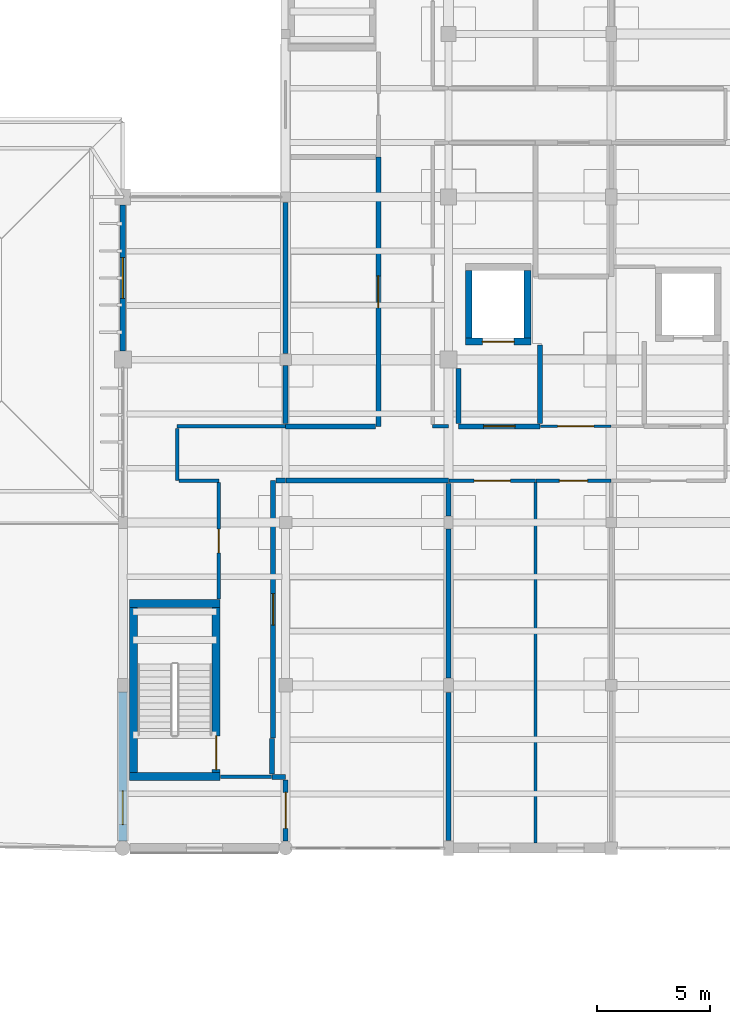
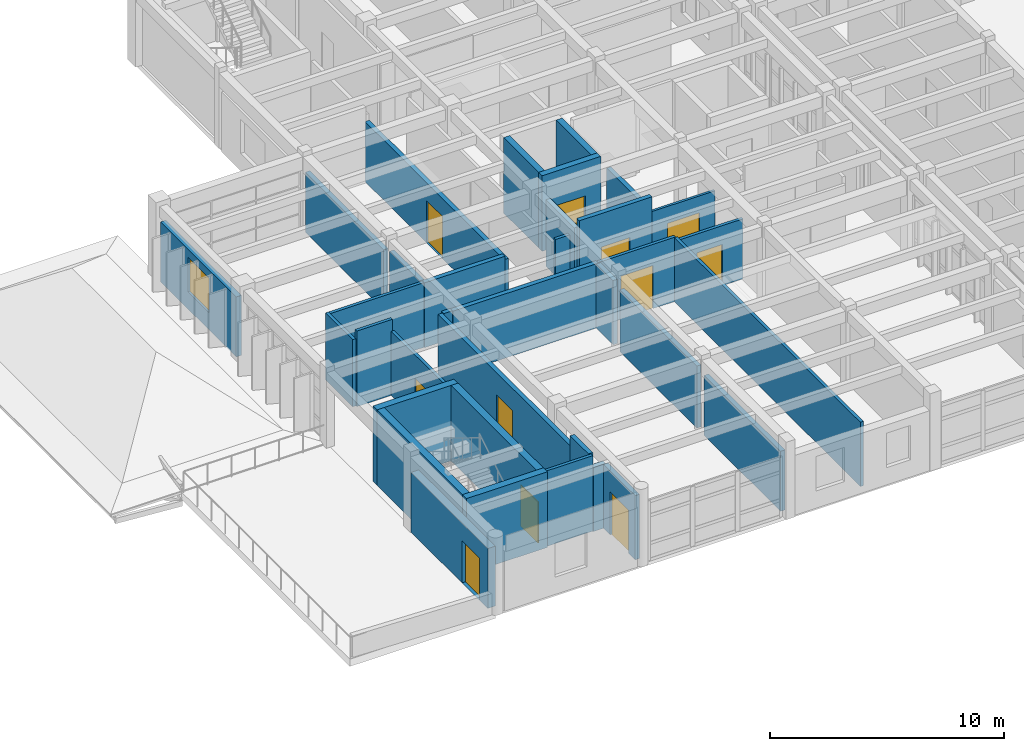
# One storey, part 72 of 100: 35 walls, 11 doors, 1 window, 12 openings.
"""IFC4 building model written with IfcOpenShell, lengths in metres."""

from ifc_helpers import new_model, si_unit, direction, frame, frame_2d, origin, place, context, subcontext, project, spatial, rectangle, extrude, material, layer, layer_set, type_object, element, fill, save


model = new_model("IFC4")

# Units and contexts
model_context = context("Model", 3, precision=1e-05, world=origin(), true_north=direction((0.0, 1.0)))
body_context = subcontext(model_context, "Body", "Model", "MODEL_VIEW")
ifc_project = project(units=[si_unit("LENGTHUNIT", "METRE"), si_unit("AREAUNIT", "SQUARE_METRE"), si_unit("VOLUMEUNIT", "CUBIC_METRE"), si_unit("PLANEANGLEUNIT", "RADIAN"), si_unit("MASSUNIT", "GRAM", prefix="KILO")], contexts=[model_context])

# Site, building, storey
site_placement = place(None, origin())
site = spatial("IfcSite", under=ifc_project, at=site_placement, CompositionType="ELEMENT")
building_placement = place(site_placement, origin())
building = spatial("IfcBuilding", under=site, at=building_placement, Name="Steenspoor Specialist Clinic", CompositionType="ELEMENT")
storey_placement = place(building_placement, frame((0.0, 0.0, 9.0)))
storey = spatial("IfcBuildingStorey", under=building, at=storey_placement, Name="L02", CompositionType="ELEMENT", Elevation=9.0)

# Wall, opening, door
ifc_material_1 = material(Name="Extruded clay brick masonry", Category="masonry")
ifc_layer_1 = layer(ifc_material_1, 0.3798828125)
ifc_layer_set_1 = layer_set([ifc_layer_1], Name="Extruded clay brick masonry")
wall_type_1 = type_object("IfcWallType", Name="W-BRICK-380", PredefinedType="USERDEFINED", material=ifc_layer_set_1)
wall_1_placement = place(storey_placement, frame((22.800048828125, 65.47509765625, 0.0), z_axis=(0.0, 0.0, 1.0), x_axis=(0.0, 1.0, 0.0)))
wall_1 = element("IfcWall", 1, at=wall_1_placement, inside=storey, type_object=wall_type_1, Name="Exterior Brick Wall EW-V5-L02-0268", ObjectType="CAVITY VENEER", PredefinedType="USERDEFINED", context=body_context, shape_type="SweptSolid", body=[
    extrude(rectangle(XDim=6.574951171875, YDim=0.3798828125, at=frame_2d((3.28759765625, 0.0))), origin(), (0.0, 0.0, 1.0), 3.1298828125),
])
opening_1_placement = place(wall_1_placement, frame((0.71044921875, 0.0, 0.0)))
opening_1 = element("IfcOpeningElement", 2, at=opening_1_placement, cuts=wall_1, Name="Opening ED34", PredefinedType="OPENING", context=body_context, shape_type="SweptSolid", body=[
    extrude(rectangle(XDim=1.5, YDim=2.199951171875, at=frame_2d((0.75, 1.10009765625))), frame((0.0, 0.199951171875, 0.0), z_axis=(0.0, -1.0, 0.0), x_axis=(1.0, 0.0, 0.0)), (0.0, 0.0, 1.0), 0.39990234375),
])
ifc_material_2 = material(Name="Anodised aluminium and safety glass", Category="aluminium")
door_type_1 = type_object("IfcDoorType", Name="DT-TERR-150X220", OperationType="NOTDEFINED", PredefinedType="DOOR", material=ifc_material_2)
door_1_placement = place(opening_1_placement, origin())
door_1 = element("IfcDoor", 3, at=door_1_placement, inside=storey, type_object=door_type_1, Name="Roof Terrace Door ED34", OperationType="SINGLE_SWING_LEFT", OverallHeight=2.199951171875, OverallWidth=1.5, PredefinedType="DOOR", context=body_context, shape_type="SweptSolid", body=[
    extrude(rectangle(XDim=1.5, YDim=2.199951171875, at=frame_2d((0.75, 1.10009765625))), frame((0.0, 0.02490234375, 0.0), z_axis=(0.0, -1.0, 0.0), x_axis=(1.0, 0.0, 0.0)), (0.0, 0.0, 1.0), 0.050048828125),
])
fill(opening_1, door_1)

# Wall
ifc_material_3 = material(Name="Gypsum acoustic clinical partition", Category="gypsum")
ifc_layer_2 = layer(ifc_material_3, 0.14990234375)
ifc_layer_set_2 = layer_set([ifc_layer_2], Name="Gypsum acoustic clinical partition")
wall_type_2 = type_object("IfcWallType", Name="W-CLIN-150", PredefinedType="PARTITIONING", material=ifc_layer_set_2)
wall_2_placement = place(storey_placement, frame((27.114990234375, 68.300048828125, 0.0), z_axis=(0.0, 0.0, 1.0), x_axis=(1.0, 0.0, 0.0)))
element("IfcWall", 4, at=wall_2_placement, inside=storey, type_object=wall_type_2, Name="Interior Partition IW-V5-L02-1295", PredefinedType="PARTITIONING", context=body_context, shape_type="SweptSolid", body=[
    extrude(rectangle(XDim=2.27001953125, YDim=0.14990234375, at=frame_2d((1.135009765625, 0.0))), origin(), (0.0, 0.0, 1.0), 3.949951171875),
])

# Wall, opening, door
wall_3_placement = place(storey_placement, frame((37.215087890625, 81.39990234375, 0.0), z_axis=(0.0, 0.0, 1.0), x_axis=(1.0, 0.0, 0.0)))
wall_3 = element("IfcWall", 5, at=wall_3_placement, inside=storey, type_object=wall_type_2, Name="Interior Partition IW-V5-L02-1296", PredefinedType="PARTITIONING", context=body_context, shape_type="SweptSolid", body=[
    extrude(rectangle(XDim=3.8349609375, YDim=0.14990234375, at=frame_2d((1.91748046875, 0.0))), origin(), (0.0, 0.0, 1.0), 3.35498046875),
])
opening_2_placement = place(wall_3_placement, frame((1.117431640625, 0.0, 0.0)))
opening_2 = element("IfcOpeningElement", 6, at=opening_2_placement, cuts=wall_3, Name="Opening D0373", PredefinedType="OPENING", context=body_context, shape_type="SweptSolid", body=[
    extrude(rectangle(XDim=1.60009765625, YDim=2.25, at=frame_2d((0.800048828125, 1.125))), frame((0.0, 0.0849609375, 0.0), z_axis=(0.0, -1.0, 0.0), x_axis=(1.0, 0.0, 0.0)), (0.0, 0.0, 1.0), 0.169921875),
])
ifc_material_4 = material(Name="Hygienic HPL clinical timber door", Category="wood")
door_type_2 = type_object("IfcDoorType", Name="DT-PROC-160X225", OperationType="NOTDEFINED", PredefinedType="DOOR", material=ifc_material_4)
door_2_placement = place(opening_2_placement, origin())
door_2 = element("IfcDoor", 7, at=door_2_placement, inside=storey, type_object=door_type_2, Name="Clinical Door D0373", OperationType="SINGLE_SWING_RIGHT", OverallHeight=2.25, OverallWidth=1.60009765625, PredefinedType="DOOR", context=body_context, shape_type="SweptSolid", body=[
    extrude(rectangle(XDim=1.60009765625, YDim=2.25, at=frame_2d((0.800048828125, 1.125))), frame((0.0, 0.02490234375, 0.0), z_axis=(0.0, -1.0, 0.0), x_axis=(1.0, 0.0, 0.0)), (0.0, 0.0, 1.0), 0.050048828125),
])
fill(opening_2, door_2)

# Wall
wall_4_placement = place(storey_placement, frame((36.5, 83.800048828125, 0.0), z_axis=(0.0, 0.0, 1.0), x_axis=(1.0, 0.0, 0.0)))
element("IfcWall", 8, at=wall_4_placement, inside=storey, type_object=wall_type_2, Name="Interior Partition IW-V5-L02-1302", PredefinedType="PARTITIONING", context=body_context, shape_type="SweptSolid", body=[
    extrude(rectangle(XDim=0.699951171875, YDim=0.14990234375, at=frame_2d((0.35009765625, 0.0))), origin(), (0.0, 0.0, 1.0), 3.35498046875),
])

# Wall, opening, door
wall_5_placement = place(storey_placement, frame((41.06494140625, 81.39990234375, 0.0), z_axis=(0.0, 0.0, 1.0), x_axis=(1.0, 0.0, 0.0)))
wall_5 = element("IfcWall", 9, at=wall_5_placement, inside=storey, type_object=wall_type_2, Name="Interior Partition IW-V5-L02-1352", PredefinedType="PARTITIONING", context=body_context, shape_type="SweptSolid", body=[
    extrude(rectangle(XDim=3.320068359375, YDim=0.14990234375, at=frame_2d((1.66015625, 0.0))), origin(), (0.0, 0.0, 1.0), 3.135009765625),
])
opening_3_placement = place(wall_5_placement, frame((1.034912109375, 0.0, 0.0)))
opening_3 = element("IfcOpeningElement", 10, at=opening_3_placement, cuts=wall_5, Name="Opening D0374", PredefinedType="OPENING", context=body_context, shape_type="SweptSolid", body=[
    extrude(rectangle(XDim=1.25, YDim=2.14990234375, at=frame_2d((0.625, 1.074951171875))), frame((0.0, 0.0849609375, 0.0), z_axis=(0.0, -1.0, 0.0), x_axis=(1.0, 0.0, 0.0)), (0.0, 0.0, 1.0), 0.169921875),
])
door_type_3 = type_object("IfcDoorType", Name="DT-EXAM-125X215", OperationType="NOTDEFINED", PredefinedType="DOOR", material=ifc_material_4)
door_3_placement = place(opening_3_placement, origin())
door_3 = element("IfcDoor", 11, at=door_3_placement, inside=storey, type_object=door_type_3, Name="Clinical Door D0374", OperationType="SINGLE_SWING_LEFT", OverallHeight=2.14990234375, OverallWidth=1.25, PredefinedType="DOOR", context=body_context, shape_type="SweptSolid", body=[
    extrude(rectangle(XDim=1.25, YDim=2.14990234375, at=frame_2d((0.625, 1.074951171875))), frame((0.0, 0.02490234375, 0.0), z_axis=(0.0, -1.0, 0.0), x_axis=(1.0, 0.0, 0.0)), (0.0, 0.0, 1.0), 0.050048828125),
])
fill(opening_3, door_3)

# Walls
wall_6_placement = place(storey_placement, frame((25.199951171875, 83.800048828125, 0.0), z_axis=(0.0, 0.0, 1.0), x_axis=(1.0, 0.0, 0.0)))
element("IfcWall", 12, at=wall_6_placement, inside=storey, type_object=wall_type_2, Name="Interior Partition IW-V5-L02-1353", PredefinedType="PARTITIONING", context=body_context, shape_type="SweptSolid", body=[
    extrude(rectangle(XDim=4.78515625, YDim=0.14990234375, at=frame_2d((2.392578125, 0.0))), origin(), (0.0, 0.0, 1.0), 3.385009765625),
])
wall_7_placement = place(storey_placement, frame((25.199951171875, 81.39990234375, 0.0), z_axis=(0.0, 0.0, 1.0), x_axis=(0.0, 1.0, 0.0)))
element("IfcWall", 13, at=wall_7_placement, inside=storey, type_object=wall_type_2, Name="Interior Partition IW-V5-L02-1354", PredefinedType="PARTITIONING", context=body_context, shape_type="SweptSolid", body=[
    extrude(rectangle(XDim=2.31005859375, YDim=0.14990234375, at=frame_2d((1.155029296875, 0.0))), origin(), (0.0, 0.0, 1.0), 3.514892578125),
])
wall_8_placement = place(storey_placement, frame((25.2900390625, 81.39990234375, 0.0), z_axis=(0.0, 0.0, 1.0), x_axis=(1.0, 0.0, 0.0)))
element("IfcWall", 14, at=wall_8_placement, inside=storey, type_object=wall_type_2, Name="Interior Partition IW-V5-L02-1355", PredefinedType="PARTITIONING", context=body_context, shape_type="SweptSolid", body=[
    extrude(rectangle(XDim=1.760009765625, YDim=0.14990234375, at=frame_2d((0.8798828125, 0.0))), origin(), (0.0, 0.0, 1.0), 3.949951171875),
])

# Wall, opening, door
wall_9_placement = place(storey_placement, frame((27.050048828125, 76.1650390625, 0.0), z_axis=(0.0, 0.0, 1.0), x_axis=(0.0, 1.0, 0.0)))
wall_9 = element("IfcWall", 15, at=wall_9_placement, inside=storey, type_object=wall_type_2, Name="Interior Partition IW-V5-L02-1356", PredefinedType="PARTITIONING", context=body_context, shape_type="SweptSolid", body=[
    extrude(rectangle(XDim=5.14501953125, YDim=0.14990234375, at=frame_2d((2.572509765625, 0.0))), origin(), (0.0, 0.0, 1.0), 3.35498046875),
])
opening_4_placement = place(wall_9_placement, frame((2.047607421875, 0.0, 0.0)))
opening_4 = element("IfcOpeningElement", 16, at=opening_4_placement, cuts=wall_9, Name="Opening D0376", PredefinedType="OPENING", context=body_context, shape_type="SweptSolid", body=[
    extrude(rectangle(XDim=1.050048828125, YDim=2.14990234375, at=frame_2d((0.52490234375, 1.074951171875))), frame((0.0, 0.0849609375, 0.0), z_axis=(0.0, -1.0, 0.0), x_axis=(1.0, 0.0, 0.0)), (0.0, 0.0, 1.0), 0.169921875),
])
ifc_material_5 = material(Name="Solid-core hardwood office door", Category="wood")
door_type_4 = type_object("IfcDoorType", Name="DT-OFF-105X215", OperationType="NOTDEFINED", PredefinedType="DOOR", material=ifc_material_5)
door_4_placement = place(opening_4_placement, origin())
door_4 = element("IfcDoor", 17, at=door_4_placement, inside=storey, type_object=door_type_4, Name="Clinical Door D0376", OperationType="SINGLE_SWING_LEFT", OverallHeight=2.14990234375, OverallWidth=1.050048828125, PredefinedType="DOOR", context=body_context, shape_type="SweptSolid", body=[
    extrude(rectangle(XDim=1.050048828125, YDim=2.14990234375, at=frame_2d((0.52490234375, 1.074951171875))), frame((0.0, 0.02490234375, 0.0), z_axis=(0.0, -1.0, 0.0), x_axis=(1.0, 0.0, 0.0)), (0.0, 0.0, 1.0), 0.050048828125),
])
fill(opening_4, door_4)

# Wall
wall_10_placement = place(storey_placement, frame((41.050048828125, 65.385009765625, 0.0), z_axis=(0.0, 0.0, 1.0), x_axis=(0.0, 1.0, 0.0)))
element("IfcWall", 18, at=wall_10_placement, inside=storey, type_object=wall_type_2, Name="Interior Partition IW-V5-L02-1453", PredefinedType="PARTITIONING", context=body_context, shape_type="SweptSolid", body=[
    extrude(rectangle(XDim=15.925048828125, YDim=0.14990234375, at=frame_2d((7.96240234375, 0.0))), origin(), (0.0, 0.0, 1.0), 3.35498046875),
])

# Wall, opening, door
ifc_material_6 = material(Name="Fire-rated clay blockwork masonry", Category="masonry")
ifc_layer_3 = layer(ifc_material_6, 0.219970703125)
ifc_layer_set_3 = layer_set([ifc_layer_3], Name="Fire-rated clay blockwork masonry")
wall_type_3 = type_object("IfcWallType", Name="W-FIRE-220", PredefinedType="PARTITIONING", material=ifc_layer_set_3)
wall_11_placement = place(storey_placement, frame((37.64990234375, 83.800048828125, 0.0), z_axis=(0.0, 0.0, 1.0), x_axis=(1.0, 0.0, 0.0)))
wall_11 = element("IfcWall", 19, at=wall_11_placement, inside=storey, type_object=wall_type_3, Name="Interior Partition IW-V5-L02-1237", PredefinedType="PARTITIONING", context=body_context, shape_type="SweptSolid", body=[
    extrude(rectangle(XDim=3.60009765625, YDim=0.219970703125, at=frame_2d((1.800048828125, 0.0))), origin(), (0.0, 0.0, 1.0), 3.949951171875),
])
opening_5_placement = place(wall_11_placement, frame((1.10009765625, 0.0, 0.0)))
opening_5 = element("IfcOpeningElement", 20, at=opening_5_placement, cuts=wall_11, Name="Opening D0369", PredefinedType="OPENING", context=body_context, shape_type="SweptSolid", body=[
    extrude(rectangle(XDim=1.39990234375, YDim=2.199951171875, at=frame_2d((0.699951171875, 1.10009765625))), frame((0.0, 0.1201171875, 0.0), z_axis=(0.0, -1.0, 0.0), x_axis=(1.0, 0.0, 0.0)), (0.0, 0.0, 1.0), 0.239990234375),
])
ifc_material_7 = material(Name="Fire-rated clinical laminate door", Category="steel")
door_type_5 = type_object("IfcDoorType", Name="DT-LAB-140X220", OperationType="NOTDEFINED", PredefinedType="DOOR", material=ifc_material_7)
door_5_placement = place(opening_5_placement, origin())
door_5 = element("IfcDoor", 21, at=door_5_placement, inside=storey, type_object=door_type_5, Name="Lift Lobby Fire Door D0369", OperationType="SINGLE_SWING_RIGHT", OverallHeight=2.199951171875, OverallWidth=1.39990234375, PredefinedType="DOOR", context=body_context, shape_type="SweptSolid", body=[
    extrude(rectangle(XDim=1.39990234375, YDim=2.199951171875, at=frame_2d((0.699951171875, 1.10009765625))), frame((0.0, 0.02490234375, 0.0), z_axis=(0.0, -1.0, 0.0), x_axis=(1.0, 0.0, 0.0)), (0.0, 0.0, 1.0), 0.050048828125),
])
fill(opening_5, door_5)

# Walls
wall_12_placement = place(storey_placement, frame((41.25, 83.925048828125, 0.0), z_axis=(0.0, 0.0, 1.0), x_axis=(0.0, 1.0, 0.0)))
element("IfcWall", 22, at=wall_12_placement, inside=storey, type_object=wall_type_3, Name="Interior Partition IW-V5-L02-1246", PredefinedType="PARTITIONING", context=body_context, shape_type="SweptSolid", body=[
    extrude(rectangle(XDim=3.474853515625, YDim=0.219970703125, at=frame_2d((1.7373046875, 0.0))), origin(), (0.0, 0.0, 1.0), 3.235107421875),
])
wall_13_placement = place(storey_placement, frame((37.64990234375, 83.925048828125, 0.0), z_axis=(0.0, 0.0, 1.0), x_axis=(0.0, 1.0, 0.0)))
element("IfcWall", 23, at=wall_13_placement, inside=storey, type_object=wall_type_3, Name="Interior Partition IW-V5-L02-1247", PredefinedType="PARTITIONING", context=body_context, shape_type="SweptSolid", body=[
    extrude(rectangle(XDim=2.43505859375, YDim=0.219970703125, at=frame_2d((1.217529296875, 0.0))), origin(), (0.0, 0.0, 1.0), 3.47509765625),
])
wall_14_placement = place(storey_placement, frame((29.39990234375, 68.300048828125, 0.0), z_axis=(0.0, 0.0, 1.0), x_axis=(1.0, 0.0, 0.0)))
element("IfcWall", 24, at=wall_14_placement, inside=storey, type_object=wall_type_3, Name="Interior Partition IW-V5-L02-1261", PredefinedType="PARTITIONING", context=body_context, shape_type="SweptSolid", body=[
    extrude(rectangle(XDim=0.60009765625, YDim=0.219970703125, at=frame_2d((0.300048828125, 0.0))), origin(), (0.0, 0.0, 1.0), 3.35498046875),
])
wall_15_placement = place(storey_placement, frame((29.39990234375, 68.425048828125, 0.0), z_axis=(0.0, 0.0, 1.0), x_axis=(0.0, 1.0, 0.0)))
element("IfcWall", 25, at=wall_15_placement, inside=storey, type_object=wall_type_3, Name="Interior Partition IW-V5-L02-1262", PredefinedType="PARTITIONING", context=body_context, shape_type="SweptSolid", body=[
    extrude(rectangle(XDim=1.574951171875, YDim=0.219970703125, at=frame_2d((0.78759765625, 0.0))), origin(), (0.0, 0.0, 1.0), 3.949951171875),
])

# Wall, opening, door
wall_16_placement = place(storey_placement, frame((29.449951171875, 70.014892578125, 0.0), z_axis=(0.0, 0.0, 1.0), x_axis=(0.0, 1.0, 0.0)))
wall_16 = element("IfcWall", 26, at=wall_16_placement, inside=storey, type_object=wall_type_3, Name="Interior Partition IW-V5-L02-1263", PredefinedType="PARTITIONING", context=body_context, shape_type="SweptSolid", body=[
    extrude(rectangle(XDim=11.385009765625, YDim=0.219970703125, at=frame_2d((5.6923828125, 0.0))), origin(), (0.0, 0.0, 1.0), 3.35498046875),
])
opening_6_placement = place(wall_16_placement, frame((4.992431640625, 0.0, 0.0)))
opening_6 = element("IfcOpeningElement", 27, at=opening_6_placement, cuts=wall_16, Name="Opening D0372", PredefinedType="OPENING", context=body_context, shape_type="SweptSolid", body=[
    extrude(rectangle(XDim=1.39990234375, YDim=2.199951171875, at=frame_2d((0.699951171875, 1.10009765625))), frame((0.0, 0.1201171875, 0.0), z_axis=(0.0, -1.0, 0.0), x_axis=(1.0, 0.0, 0.0)), (0.0, 0.0, 1.0), 0.239990234375),
])
door_6_placement = place(opening_6_placement, origin())
door_6 = element("IfcDoor", 28, at=door_6_placement, inside=storey, type_object=door_type_5, Name="Clinical Door D0372", OperationType="SINGLE_SWING_LEFT", OverallHeight=2.199951171875, OverallWidth=1.39990234375, PredefinedType="DOOR", context=body_context, shape_type="SweptSolid", body=[
    extrude(rectangle(XDim=1.39990234375, YDim=2.199951171875, at=frame_2d((0.699951171875, 1.10009765625))), frame((0.0, 0.02490234375, 0.0), z_axis=(0.0, -1.0, 0.0), x_axis=(1.0, 0.0, 0.0)), (0.0, 0.0, 1.0), 0.050048828125),
])
fill(opening_6, door_6)

# Walls
wall_17_placement = place(storey_placement, frame((29.574951171875, 81.39990234375, 0.0), z_axis=(0.0, 0.0, 1.0), x_axis=(1.0, 0.0, 0.0)))
element("IfcWall", 29, at=wall_17_placement, inside=storey, type_object=wall_type_3, Name="Interior Partition IW-V5-L02-1264", PredefinedType="PARTITIONING", context=body_context, shape_type="SweptSolid", body=[
    extrude(rectangle(XDim=0.425048828125, YDim=0.219970703125, at=frame_2d((0.21240234375, 0.0))), origin(), (0.0, 0.0, 1.0), 3.385009765625),
])
wall_18_placement = place(storey_placement, frame((30.014892578125, 81.39990234375, 0.0), z_axis=(0.0, 0.0, 1.0), x_axis=(1.0, 0.0, 0.0)))
element("IfcWall", 30, at=wall_18_placement, inside=storey, type_object=wall_type_3, Name="Interior Partition IW-V5-L02-1265", PredefinedType="PARTITIONING", context=body_context, shape_type="SweptSolid", body=[
    extrude(rectangle(XDim=7.18505859375, YDim=0.219970703125, at=frame_2d((3.592529296875, 0.0))), origin(), (0.0, 0.0, 1.0), 3.35498046875),
])

# Wall, opening, door
wall_19_placement = place(storey_placement, frame((34.10009765625, 83.800048828125, 0.0), z_axis=(0.0, 0.0, 1.0), x_axis=(0.0, 1.0, 0.0)))
wall_19 = element("IfcWall", 31, at=wall_19_placement, inside=storey, type_object=wall_type_3, Name="Interior Partition IW-V5-L02-1266", PredefinedType="PARTITIONING", context=body_context, shape_type="SweptSolid", body=[
    extrude(rectangle(XDim=11.905029296875, YDim=0.219970703125, at=frame_2d((5.95263671875, 0.0))), origin(), (0.0, 0.0, 1.0), 3.135009765625),
])
opening_7_placement = place(wall_19_placement, frame((5.25244140625, 0.0, 0.0)))
opening_7 = element("IfcOpeningElement", 32, at=opening_7_placement, cuts=wall_19, Name="Opening D0377", PredefinedType="OPENING", context=body_context, shape_type="SweptSolid", body=[
    extrude(rectangle(XDim=1.39990234375, YDim=2.199951171875, at=frame_2d((0.699951171875, 1.10009765625))), frame((0.0, 0.1201171875, 0.0), z_axis=(0.0, -1.0, 0.0), x_axis=(1.0, 0.0, 0.0)), (0.0, 0.0, 1.0), 0.239990234375),
])
door_7_placement = place(opening_7_placement, origin())
door_7 = element("IfcDoor", 33, at=door_7_placement, inside=storey, type_object=door_type_5, Name="Clinical Door D0377", OperationType="SINGLE_SWING_RIGHT", OverallHeight=2.199951171875, OverallWidth=1.39990234375, PredefinedType="DOOR", context=body_context, shape_type="SweptSolid", body=[
    extrude(rectangle(XDim=1.39990234375, YDim=2.199951171875, at=frame_2d((0.699951171875, 1.10009765625))), frame((0.0, 0.02490234375, 0.0), z_axis=(0.0, -1.0, 0.0), x_axis=(1.0, 0.0, 0.0)), (0.0, 0.0, 1.0), 0.050048828125),
])
fill(opening_7, door_7)

# Wall
wall_20_placement = place(storey_placement, frame((30.0, 83.800048828125, 0.0), z_axis=(0.0, 0.0, 1.0), x_axis=(1.0, 0.0, 0.0)))
element("IfcWall", 34, at=wall_20_placement, inside=storey, type_object=wall_type_3, Name="Interior Partition IW-V5-L02-1267", PredefinedType="PARTITIONING", context=body_context, shape_type="SweptSolid", body=[
    extrude(rectangle(XDim=3.97509765625, YDim=0.219970703125, at=frame_2d((1.987548828125, 0.0))), origin(), (0.0, 0.0, 1.0), 3.385009765625),
])

# Wall, opening, door
wall_21_placement = place(storey_placement, frame((30.0, 65.465087890625, 0.0), z_axis=(0.0, 0.0, 1.0), x_axis=(0.0, 1.0, 0.0)))
wall_21 = element("IfcWall", 35, at=wall_21_placement, inside=storey, type_object=wall_type_3, Name="Interior Partition IW-V5-L02-1420", PredefinedType="PARTITIONING", context=body_context, shape_type="SweptSolid", body=[
    extrude(rectangle(XDim=2.7099609375, YDim=0.219970703125, at=frame_2d((1.35498046875, 0.0))), origin(), (0.0, 0.0, 1.0), 3.35498046875),
])
opening_8_placement = place(wall_21_placement, frame((0.554931640625, 0.0, 0.0)))
opening_8 = element("IfcOpeningElement", 36, at=opening_8_placement, cuts=wall_21, Name="Opening D0371", PredefinedType="OPENING", context=body_context, shape_type="SweptSolid", body=[
    extrude(rectangle(XDim=1.60009765625, YDim=2.25, at=frame_2d((0.800048828125, 1.125))), frame((0.0, 0.1201171875, 0.0), z_axis=(0.0, -1.0, 0.0), x_axis=(1.0, 0.0, 0.0)), (0.0, 0.0, 1.0), 0.239990234375),
])
door_8_placement = place(opening_8_placement, origin())
door_8 = element("IfcDoor", 37, at=door_8_placement, inside=storey, type_object=door_type_2, Name="Clinical Door D0371", OperationType="SINGLE_SWING_RIGHT", OverallHeight=2.25, OverallWidth=1.60009765625, PredefinedType="DOOR", context=body_context, shape_type="SweptSolid", body=[
    extrude(rectangle(XDim=1.60009765625, YDim=2.25, at=frame_2d((0.800048828125, 1.125))), frame((0.0, 0.02490234375, 0.0), z_axis=(0.0, -1.0, 0.0), x_axis=(1.0, 0.0, 0.0)), (0.0, 0.0, 1.0), 0.050048828125),
])
fill(opening_8, door_8)

# Walls
wall_22_placement = place(storey_placement, frame((37.199951171875, 65.489990234375, 0.0), z_axis=(0.0, 0.0, 1.0), x_axis=(0.0, 1.0, 0.0)))
element("IfcWall", 38, at=wall_22_placement, inside=storey, type_object=wall_type_3, Name="Interior Partition IW-V5-L02-1421", PredefinedType="PARTITIONING", context=body_context, shape_type="SweptSolid", body=[
    extrude(rectangle(XDim=6.544921875, YDim=0.219970703125, at=frame_2d((3.2724609375, 0.0))), origin(), (0.0, 0.0, 1.0), 3.135009765625),
])
wall_23_placement = place(storey_placement, frame((37.199951171875, 72.6650390625, 0.0), z_axis=(0.0, 0.0, 1.0), x_axis=(0.0, 1.0, 0.0)))
element("IfcWall", 39, at=wall_23_placement, inside=storey, type_object=wall_type_3, Name="Interior Partition IW-V5-L02-1422", PredefinedType="PARTITIONING", context=body_context, shape_type="SweptSolid", body=[
    extrude(rectangle(XDim=6.594970703125, YDim=0.219970703125, at=frame_2d((3.29736328125, 0.0))), origin(), (0.0, 0.0, 1.0), 3.235107421875),
])
wall_24_placement = place(storey_placement, frame((37.199951171875, 79.840087890625, 0.0), z_axis=(0.0, 0.0, 1.0), x_axis=(0.0, 1.0, 0.0)))
element("IfcWall", 40, at=wall_24_placement, inside=storey, type_object=wall_type_3, Name="Interior Partition IW-V5-L02-1423", PredefinedType="PARTITIONING", context=body_context, shape_type="SweptSolid", body=[
    extrude(rectangle(XDim=1.434814453125, YDim=0.219970703125, at=frame_2d((0.71728515625, 0.0))), origin(), (0.0, 0.0, 1.0), 3.35498046875),
])
wall_25_placement = place(storey_placement, frame((30.0, 83.925048828125, 0.0), z_axis=(0.0, 0.0, 1.0), x_axis=(0.0, 1.0, 0.0)))
element("IfcWall", 41, at=wall_25_placement, inside=storey, type_object=wall_type_3, Name="Interior Partition IW-V5-L02-1428", PredefinedType="PARTITIONING", context=body_context, shape_type="SweptSolid", body=[
    extrude(rectangle(XDim=2.56005859375, YDim=0.219970703125, at=frame_2d((1.280029296875, 0.0))), origin(), (0.0, 0.0, 1.0), 3.385009765625),
])
wall_26_placement = place(storey_placement, frame((30.0, 87.014892578125, 0.0), z_axis=(0.0, 0.0, 1.0), x_axis=(0.0, 1.0, 0.0)))
element("IfcWall", 42, at=wall_26_placement, inside=storey, type_object=wall_type_3, Name="Interior Partition IW-V5-L02-1429", PredefinedType="PARTITIONING", context=body_context, shape_type="SweptSolid", body=[
    extrude(rectangle(XDim=6.695068359375, YDim=0.219970703125, at=frame_2d((3.34765625, 0.0))), origin(), (0.0, 0.0, 1.0), 3.135009765625),
])

# Wall, opening, door
ifc_material_8 = material(Name="Gypsum studio partition board", Category="gypsum")
ifc_layer_4 = layer(ifc_material_8, 0.1201171875)
ifc_layer_set_4 = layer_set([ifc_layer_4], Name="Gypsum studio partition board")
wall_type_4 = type_object("IfcWallType", Name="W-PART-120", PredefinedType="PARTITIONING", material=ifc_layer_set_4)
wall_27_placement = place(storey_placement, frame((41.264892578125, 83.800048828125, 0.0), z_axis=(0.0, 0.0, 1.0), x_axis=(1.0, 0.0, 0.0)))
wall_27 = element("IfcWall", 43, at=wall_27_placement, inside=storey, type_object=wall_type_4, Name="Interior Partition IW-V5-L02-1399", PredefinedType="PARTITIONING", context=body_context, shape_type="SweptSolid", body=[
    extrude(rectangle(XDim=3.1201171875, YDim=0.1201171875, at=frame_2d((1.56005859375, 0.0))), origin(), (0.0, 0.0, 1.0), 3.135009765625),
])
opening_9_placement = place(wall_27_placement, frame((0.760009765625, 0.0, 0.0)))
opening_9 = element("IfcOpeningElement", 44, at=opening_9_placement, cuts=wall_27, Name="Opening D0379", PredefinedType="OPENING", context=body_context, shape_type="SweptSolid", body=[
    extrude(rectangle(XDim=1.60009765625, YDim=2.25, at=frame_2d((0.800048828125, 1.125))), frame((0.0, 0.070068359375, 0.0), z_axis=(0.0, -1.0, 0.0), x_axis=(1.0, 0.0, 0.0)), (0.0, 0.0, 1.0), 0.14013671875),
])
door_9_placement = place(opening_9_placement, origin())
door_9 = element("IfcDoor", 45, at=door_9_placement, inside=storey, type_object=door_type_2, Name="Clinical Door D0379", OperationType="SINGLE_SWING_RIGHT", OverallHeight=2.25, OverallWidth=1.60009765625, PredefinedType="DOOR", context=body_context, shape_type="SweptSolid", body=[
    extrude(rectangle(XDim=1.60009765625, YDim=2.25, at=frame_2d((0.800048828125, 1.125))), frame((0.0, 0.02490234375, 0.0), z_axis=(0.0, -1.0, 0.0), x_axis=(1.0, 0.0, 0.0)), (0.0, 0.0, 1.0), 0.050048828125),
])
fill(opening_9, door_9)

# Wall, opening, window
ifc_layer_5 = layer(ifc_material_1, 0.260009765625)
ifc_layer_set_5 = layer_set([ifc_layer_5], Name="Extruded clay brick masonry")
wall_type_5 = type_object("IfcWallType", Name="W-SCREEN-260", PredefinedType="SOLIDWALL", material=ifc_layer_set_5)
wall_28_placement = place(storey_placement, frame((22.800048828125, 87.125, 0.0), z_axis=(0.0, 0.0, 1.0), x_axis=(0.0, 1.0, 0.0)))
wall_28 = element("IfcWall", 46, at=wall_28_placement, inside=storey, type_object=wall_type_5, Name="Exterior Brick Wall EW-V5-L02-0269", PredefinedType="SOLIDWALL", context=body_context, shape_type="SweptSolid", body=[
    extrude(rectangle(XDim=6.47509765625, YDim=0.260009765625, at=frame_2d((3.237548828125, 0.0))), origin(), (0.0, 0.0, 1.0), 3.1298828125),
])
opening_10_placement = place(wall_28_placement, frame((2.33740234375, 0.0, 0.89990234375)))
opening_10 = element("IfcOpeningElement", 47, at=opening_10_placement, cuts=wall_28, Name="Opening WN-08", PredefinedType="OPENING", context=body_context, shape_type="SweptSolid", body=[
    extrude(rectangle(XDim=1.800048828125, YDim=1.800048828125, at=frame_2d((0.89990234375, 0.89990234375))), frame((0.0, 0.14013671875, 0.0), z_axis=(0.0, -1.0, 0.0), x_axis=(1.0, 0.0, 0.0)), (0.0, 0.0, 1.0), 0.280029296875),
])
ifc_material_9 = material(Name="Thermally broken aluminium and low-emissivity glass", Category="aluminium")
window_type = type_object("IfcWindowType", Name="WN-EXT-180X180", PartitioningType="SINGLE_PANEL", PredefinedType="WINDOW", material=ifc_material_9)
window_placement = place(opening_10_placement, origin())
window = element("IfcWindow", 48, at=window_placement, inside=storey, type_object=window_type, Name="Window 0294", OverallHeight=1.800048828125, OverallWidth=1.800048828125, PartitioningType="SINGLE_PANEL", PredefinedType="WINDOW", context=body_context, shape_type="SweptSolid", body=[
    extrude(rectangle(XDim=1.800048828125, YDim=1.800048828125, at=frame_2d((0.89990234375, 0.89990234375))), frame((0.0, 0.030029296875, 0.0), z_axis=(0.0, -1.0, 0.0), x_axis=(1.0, 0.0, 0.0)), (0.0, 0.0, 1.0), 0.06005859375),
])
fill(opening_10, window)

# Wall, opening, door
ifc_material_10 = material(Name="Concrete C40/50", Category="concrete")
ifc_layer_6 = layer(ifc_material_10, 0.300048828125)
ifc_layer_set_6 = layer_set([ifc_layer_6], Name="Concrete C40/50")
wall_type_6 = type_object("IfcWallType", Name="W-SW-300", PredefinedType="SHEAR", material=ifc_layer_set_6)
wall_29_placement = place(storey_placement, frame((37.949951171875, 87.550048828125, 0.0), z_axis=(0.0, 0.0, 1.0), x_axis=(1.0, 0.0, 0.0)))
wall_29 = element("IfcWall", 49, at=wall_29_placement, inside=storey, type_object=wall_type_6, Name="Lift Shaft Shear Wall SW-EL-S2-L02-S", PredefinedType="SHEAR", context=body_context, shape_type="SweptSolid", body=[
    extrude(rectangle(XDim=2.900146484375, YDim=0.300048828125, at=frame_2d((1.4501953125, 0.0))), origin(), (0.0, 0.0, 1.0), 3.949951171875),
])
opening_11_placement = place(wall_29_placement, frame((0.75, 0.0, 0.0)))
opening_11 = element("IfcOpeningElement", 50, at=opening_11_placement, cuts=wall_29, Name="Opening LD09", PredefinedType="OPENING", context=body_context, shape_type="SweptSolid", body=[
    extrude(rectangle(XDim=1.39990234375, YDim=2.14990234375, at=frame_2d((0.699951171875, 1.074951171875))), frame((0.0, 0.16015625, 0.0), z_axis=(0.0, -1.0, 0.0), x_axis=(1.0, 0.0, 0.0)), (0.0, 0.0, 1.0), 0.320068359375),
])
ifc_material_11 = material(Name="Stainless steel lift landing door", Category="steel")
door_type_6 = type_object("IfcDoorType", Name="DT-LIFT-S-140", OperationType="NOTDEFINED", PredefinedType="DOOR", material=ifc_material_11)
door_10_placement = place(opening_11_placement, origin())
door_10 = element("IfcDoor", 51, at=door_10_placement, inside=storey, type_object=door_type_6, Name="Lift Landing Door LD09", OperationType="SLIDING_TO_LEFT", OverallHeight=2.14990234375, OverallWidth=1.39990234375, PredefinedType="DOOR", context=body_context, shape_type="SweptSolid", body=[
    extrude(rectangle(XDim=1.39990234375, YDim=2.14990234375, at=frame_2d((0.699951171875, 1.074951171875))), frame((0.0, 0.02490234375, 0.0), z_axis=(0.0, -1.0, 0.0), x_axis=(1.0, 0.0, 0.0)), (0.0, 0.0, 1.0), 0.050048828125),
])
fill(opening_11, door_10)

# Walls
for number, where, z_axis, x_axis, name in (
    (52, (38.10009765625, 87.699951171875, 0.0), (0.0, 0.0, 1.0), (0.0, 1.0, 0.0), "Lift Shaft Shear Wall SW-EL-S2-L02-W"),
    (53, (40.699951171875, 87.699951171875, 0.0), (0.0, 0.0, 1.0), (0.0, 1.0, 0.0), "Lift Shaft Shear Wall SW-EL-S2-L02-E"),
):
    element("IfcWall", number, at=place(storey_placement, frame(where, z_axis=z_axis, x_axis=x_axis)), inside=storey, type_object=wall_type_6, Name=name, PredefinedType="SHEAR", context=body_context, shape_type="SweptSolid", body=[
        extrude(rectangle(XDim=3.0, YDim=0.300048828125, at=frame_2d((1.5, 0.0))), origin(), (0.0, 0.0, 1.0), 3.949951171875),
    ])
ifc_layer_7 = layer(ifc_material_10, 0.35009765625)
ifc_layer_set_7 = layer_set([ifc_layer_7], Name="Concrete C40/50")
wall_type_7 = type_object("IfcWallType", Name="W-SW-350", PredefinedType="SHEAR", material=ifc_layer_set_7)
for number, where, z_axis, x_axis, name in (
    (54, (23.10009765625, 68.324951171875, 0.0), (0.0, 0.0, 1.0), (1.0, 0.0, 0.0), "Core Shear Wall SW-ST-V5B-L02-S"),
    (55, (23.10009765625, 75.97509765625, 0.0), (0.0, 0.0, 1.0), (1.0, 0.0, 0.0), "Core Shear Wall SW-ST-V5B-L02-N"),
):
    element("IfcWall", number, at=place(storey_placement, frame(where, z_axis=z_axis, x_axis=x_axis)), inside=storey, type_object=wall_type_7, Name=name, PredefinedType="SHEAR", context=body_context, shape_type="SweptSolid", body=[
        extrude(rectangle(XDim=4.0, YDim=0.35009765625, at=frame_2d((2.0, 0.0))), origin(), (0.0, 0.0, 1.0), 3.949951171875),
    ])
wall_30_placement = place(storey_placement, frame((23.27490234375, 68.5, 0.0), z_axis=(0.0, 0.0, 1.0), x_axis=(0.0, 1.0, 0.0)))
element("IfcWall", 56, at=wall_30_placement, inside=storey, type_object=wall_type_7, Name="Core Shear Wall SW-ST-V5B-L02-W", PredefinedType="SHEAR", context=body_context, shape_type="SweptSolid", body=[
    extrude(rectangle(XDim=7.300048828125, YDim=0.35009765625, at=frame_2d((3.64990234375, 0.0))), origin(), (0.0, 0.0, 1.0), 3.949951171875),
])

# Wall, opening, door
wall_31_placement = place(storey_placement, frame((26.925048828125, 68.5, 0.0), z_axis=(0.0, 0.0, 1.0), x_axis=(0.0, 1.0, 0.0)))
wall_31 = element("IfcWall", 57, at=wall_31_placement, inside=storey, type_object=wall_type_7, Name="Core Shear Wall SW-ST-V5B-L02-E", PredefinedType="SHEAR", context=body_context, shape_type="SweptSolid", body=[
    extrude(rectangle(XDim=7.300048828125, YDim=0.35009765625, at=frame_2d((3.64990234375, 0.0))), origin(), (0.0, 0.0, 1.0), 3.949951171875),
])
opening_12_placement = place(wall_31_placement, frame((0.1201171875, 0.0, 0.0)))
opening_12 = element("IfcOpeningElement", 58, at=opening_12_placement, cuts=wall_31, Name="Opening SD033", PredefinedType="OPENING", context=body_context, shape_type="SweptSolid", body=[
    extrude(rectangle(XDim=1.5, YDim=2.14990234375, at=frame_2d((0.75, 1.074951171875))), frame((0.0, 0.18505859375, 0.0), z_axis=(0.0, -1.0, 0.0), x_axis=(1.0, 0.0, 0.0)), (0.0, 0.0, 1.0), 0.3701171875),
])
ifc_material_12 = material(Name="Fire-rated steel acoustic door", Category="steel")
door_type_7 = type_object("IfcDoorType", Name="DT-STAIR-150X215", OperationType="NOTDEFINED", PredefinedType="DOOR", material=ifc_material_12)
door_11_placement = place(opening_12_placement, origin())
door_11 = element("IfcDoor", 59, at=door_11_placement, inside=storey, type_object=door_type_7, Name="Exit Stair Fire Door SD033", OperationType="SINGLE_SWING_RIGHT", OverallHeight=2.14990234375, OverallWidth=1.5, PredefinedType="DOOR", context=body_context, shape_type="SweptSolid", body=[
    extrude(rectangle(XDim=1.5, YDim=2.14990234375, at=frame_2d((0.75, 1.074951171875))), frame((0.0, 0.02490234375, 0.0), z_axis=(0.0, -1.0, 0.0), x_axis=(1.0, 0.0, 0.0)), (0.0, 0.0, 1.0), 0.050048828125),
])
fill(opening_12, door_11)

save(model, "model.ifc")
